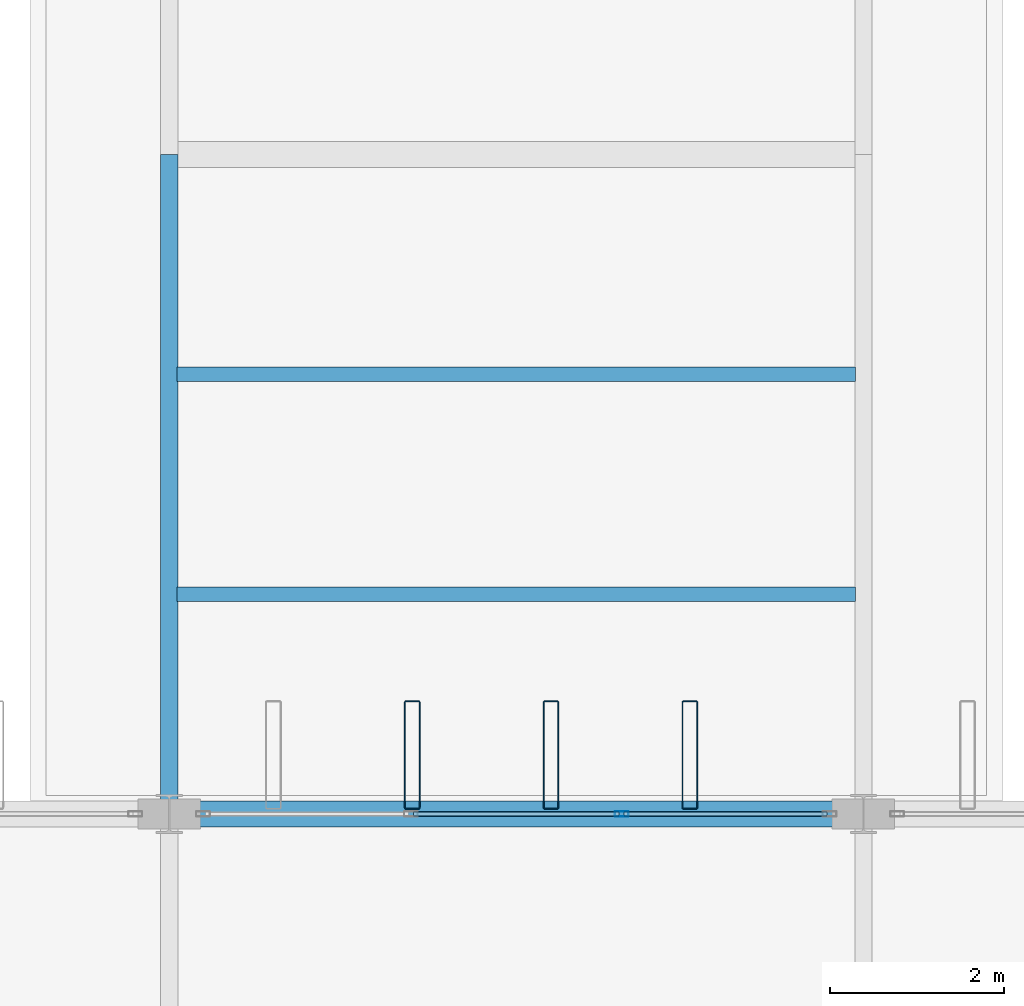
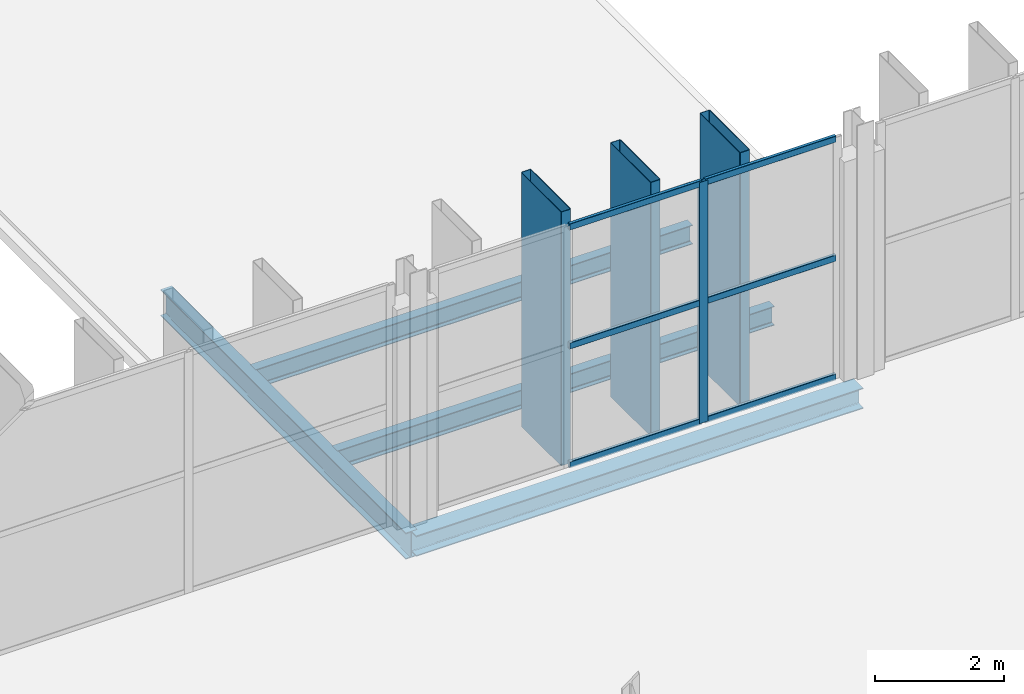
# One storey, part 44 of 120: 10 members, 4 beams, 1 element without a shape of its own.
"""IFC4 building model written with IfcOpenShell, lengths in metres."""

import ifcopenshell
import ifcopenshell.guid

model = None  # the IFC model being written
_history = None  # IfcOwnerHistory: only IFC2X3 demands one
_inside = {}  # id of a spatial element -> (the spatial element, [elements in it])
_under = {}  # id of a project, library or spatial element -> (it, [spatial elements below it])
_declared = {}  # id of a project -> (the project, [libraries it declares])
_typed = {}  # id of a type object -> (the type object, [elements of that type])
_made_of = {}  # id of a material, layer set ... -> (it, [elements and type objects made of it])


def new_model(schema):
    """Start an empty IFC model of exactly this schema.

    Asked for "IFC4X3", IfcOpenShell would pick the latest addendum, in which some entities
    have other attributes; the version numbers below select the first issue.
    IFC2X3 requires an IfcOwnerHistory on every rooted entity: one is made here for all.
    """
    global model, _history
    if schema == "IFC4X3":
        model = ifcopenshell.file(schema_version=(4, 3, 0, 0))
    else:
        model = ifcopenshell.file(schema=schema)
    _inside.clear()
    _under.clear()
    _declared.clear()
    _typed.clear()
    _made_of.clear()
    _history = None
    if model.schema == "IFC2X3":
        org = make("IfcOrganization", Name="unknown")
        user = make(
            "IfcPersonAndOrganization",
            ThePerson=make("IfcPerson", FamilyName="unknown"),
            TheOrganization=org,
        )
        app = make(
            "IfcApplication",
            ApplicationDeveloper=org,
            Version="unknown",
            ApplicationFullName="unknown",
            ApplicationIdentifier="unknown",
        )
        _history = make(
            "IfcOwnerHistory",
            OwningUser=user,
            OwningApplication=app,
            ChangeAction="ADDED",
            CreationDate=0,
        )
    return model


def make(cls, **values):
    """One entity of the class cls with the attributes given. An attribute that is None is left unset."""
    return model.create_entity(
        cls, **{name: value for name, value in values.items() if value is not None}
    )


def rooted(cls, **values):
    """An entity with a GlobalId (a new one), such as an element, a storey or a relation."""
    return make(cls, GlobalId=ifcopenshell.guid.new(), OwnerHistory=_history, **values)


def si_unit(unit_type, name, prefix=None):
    """IfcSIUnit, for example si_unit("LENGTHUNIT", "METRE", prefix="MILLI")."""
    return make("IfcSIUnit", UnitType=unit_type, Prefix=prefix, Name=name)


def assignment(units):
    """IfcUnitAssignment: the units of a project."""
    return None if units is None else make("IfcUnitAssignment", Units=units)


def point(xyz):
    """IfcCartesianPoint."""
    return None if xyz is None else make("IfcCartesianPoint", Coordinates=xyz)


def direction(xyz):
    """IfcDirection."""
    return None if xyz is None else make("IfcDirection", DirectionRatios=xyz)


def frame(location, z_axis=None, x_axis=None):
    """IfcAxis2Placement3D, a coordinate frame: its origin and axes. An axis left out is left unset."""
    return make(
        "IfcAxis2Placement3D",
        Location=point(location),
        Axis=direction(z_axis),
        RefDirection=direction(x_axis),
    )


def frame_2d(location, x_axis=None):
    """IfcAxis2Placement2D, a coordinate frame in the plane: its origin and x axis."""
    return make(
        "IfcAxis2Placement2D", Location=point(location), RefDirection=direction(x_axis)
    )


def origin():
    """The frame at (0, 0, 0) with its axes left unset."""
    return frame((0.0, 0.0, 0.0))


def origin_2d():
    """The frame at (0, 0) in the plane with its x axis left unset."""
    return frame_2d((0.0, 0.0))


def place(relative_to, where):
    """IfcLocalPlacement: puts the frame where relative to a parent placement (None: the world)."""
    return make(
        "IfcLocalPlacement", PlacementRelTo=relative_to, RelativePlacement=where
    )


def context(
    kind, dimensions, precision=None, world=None, true_north=None, identifier=None
):
    """IfcGeometricRepresentationContext, for example the 3D "Model" context."""
    return make(
        "IfcGeometricRepresentationContext",
        ContextIdentifier=identifier,
        ContextType=kind,
        CoordinateSpaceDimension=dimensions,
        Precision=precision,
        WorldCoordinateSystem=world,
        TrueNorth=true_north,
    )


def subcontext(parent, identifier, kind, view, scale=None):
    """IfcGeometricRepresentationSubContext, for example "Body" below "Model"."""
    return make(
        "IfcGeometricRepresentationSubContext",
        ContextIdentifier=identifier,
        ContextType=kind,
        ParentContext=parent,
        TargetScale=scale,
        TargetView=view,
    )


def project(units=None, contexts=None):
    """IfcProject with its units and contexts."""
    return rooted(
        "IfcProject",
        Name="project",
        RepresentationContexts=contexts,
        UnitsInContext=assignment(units),
    )


def spatial(cls, under=None, at=None, **own):
    """A site, building, storey or space (cls), placed at a placement, below another one or the project."""
    s = rooted(cls, ObjectPlacement=at, **own)
    if under is not None:
        _under.setdefault(under.id(), (under, []))[1].append(s)
    return s


def profile(cls, at=None, kind="AREA", **sizes):
    """A parametric profile (cls). Its sizes go by their IFC names, for example OverallWidth=200.0."""
    return make(cls, ProfileType=kind, Position=at, **sizes)


def hollow_rectangle(**sizes):
    """IfcRectangleHollowProfileDef."""
    return profile("IfcRectangleHollowProfileDef", **sizes)


def i_section(**sizes):
    """IfcIShapeProfileDef."""
    return profile("IfcIShapeProfileDef", **sizes)


def extrude(swept, where, along, depth):
    """IfcExtrudedAreaSolid: the profile swept, set in the frame where, extruded along a direction by depth."""
    return make(
        "IfcExtrudedAreaSolid",
        SweptArea=swept,
        Position=where,
        ExtrudedDirection=direction(along),
        Depth=depth,
    )


def shape(context_of_items, identifier, shape_type, items):
    """IfcShapeRepresentation: the items that make up one representation, for example the "Body"."""
    return make(
        "IfcShapeRepresentation",
        ContextOfItems=context_of_items,
        RepresentationIdentifier=identifier,
        RepresentationType=shape_type,
        Items=items,
    )


def material(Name=None, Category=None):
    """IfcMaterial."""
    return make("IfcMaterial", Name=Name, Category=Category)


def layer(
    of_material, thickness, ventilated=None, Name=None, Category=None, Priority=None
):
    """IfcMaterialLayer: one layer of a wall or slab, of a material (None: an air gap)."""
    return make(
        "IfcMaterialLayer",
        Material=of_material,
        LayerThickness=thickness,
        IsVentilated=ventilated,
        Name=Name,
        Category=Category,
        Priority=Priority,
    )


def layer_set(layers, Name=None):
    """IfcMaterialLayerSet."""
    return make("IfcMaterialLayerSet", MaterialLayers=layers, LayerSetName=Name)


def material_profile(
    of_material, cross_section, Name=None, Category=None, Priority=None
):
    """IfcMaterialProfile: a cross section and its material."""
    return make(
        "IfcMaterialProfile",
        Name=Name,
        Material=of_material,
        Profile=cross_section,
        Priority=Priority,
        Category=Category,
    )


def profile_set(profiles, Name=None, composite=None):
    """IfcMaterialProfileSet."""
    return make(
        "IfcMaterialProfileSet",
        Name=Name,
        MaterialProfiles=profiles,
        CompositeProfile=composite,
    )


def made_of(thing, what):
    """Note that an element or type object is made of a material, layer set ...; save() writes the relation."""
    if what is not None:
        _made_of.setdefault(what.id(), (what, []))[1].append(thing)
    return thing


def type_object(cls, material=None, **own):
    """A type object (cls), such as IfcWallType, which elements share."""
    return made_of(rooted(cls, **own), material)


def element(
    cls,
    number,
    at=None,
    inside=None,
    cuts=None,
    type_object=None,
    material=None,
    context=None,
    identifier="Body",
    shape_type=None,
    held_by="IfcProductDefinitionShape",
    body=None,
    shapes=None,
    **own,
):
    """One element of the class cls, such as IfcWall. Its Tag is "e" and its number.

    at: its placement. inside: the storey or other place that contains it. cuts: it is an
    opening in that element (IfcRelVoidsElement). A single representation is given by context,
    identifier, shape_type and body (its items); several are given by shapes. held_by: the class
    of the entity that holds the representations. save() writes the other relations.
    """
    e = rooted(cls, Tag="e%d" % number, ObjectPlacement=at, **own)
    if body is not None:
        shapes = [shape(context, identifier, shape_type, body)]
    if shapes is not None:
        e.Representation = make(held_by, Representations=shapes)
    if inside is not None:
        _inside.setdefault(inside.id(), (inside, []))[1].append(e)
    if cuts is not None:
        rooted(
            "IfcRelVoidsElement", RelatingBuildingElement=cuts, RelatedOpeningElement=e
        )
    if type_object is not None:
        _typed.setdefault(type_object.id(), (type_object, []))[1].append(e)
    return made_of(e, material)


def aggregate(whole, parts):
    """IfcRelAggregates: a whole, such as a stair, and the parts it consists of."""
    return rooted("IfcRelAggregates", RelatingObject=whole, RelatedObjects=parts)


def save(model, path):
    """Write the relations noted so far, then the file.

    IfcRelAggregates (storeys below a building ...), IfcRelContainedInSpatialStructure (elements
    in a storey), IfcRelDefinesByType, IfcRelAssociatesMaterial and IfcRelDeclares: one each for
    every whole, place, type object, material and project.
    """
    for whole, parts in _under.values():
        aggregate(whole, parts)
    for where, things in _inside.values():
        rooted(
            "IfcRelContainedInSpatialStructure",
            RelatedElements=things,
            RelatingStructure=where,
        )
    for kind, things in _typed.values():
        rooted("IfcRelDefinesByType", RelatedObjects=things, RelatingType=kind)
    for what, things in _made_of.values():
        rooted("IfcRelAssociatesMaterial", RelatedObjects=things, RelatingMaterial=what)
    for by, libraries in _declared.values():
        rooted("IfcRelDeclares", RelatingContext=by, RelatedDefinitions=libraries)
    model.write(path)


model = new_model("IFC4")

# Units and contexts
model_context = context("Model", 3, precision=1e-05, world=origin(), true_north=direction((0.0, 1.0)))
body_context = subcontext(model_context, "Body", "Model", "MODEL_VIEW")
ifc_project = project(units=[si_unit("LENGTHUNIT", "METRE"), si_unit("AREAUNIT", "SQUARE_METRE"), si_unit("VOLUMEUNIT", "CUBIC_METRE"), si_unit("PLANEANGLEUNIT", "RADIAN"), si_unit("MASSUNIT", "GRAM", prefix="KILO")], contexts=[model_context])

# Site, building, storey
site_placement = place(None, origin())
site = spatial("IfcSite", under=ifc_project, at=site_placement, CompositionType="ELEMENT")
building_placement = place(site_placement, origin())
building = spatial("IfcBuilding", under=site, at=building_placement, Name="Vekula Escarpment Museum", CompositionType="ELEMENT")
storey_placement = place(building_placement, frame((0.0, 0.0, 13.199951171875)))
storey = spatial("IfcBuildingStorey", under=building, at=storey_placement, Name="L03", CompositionType="ELEMENT", Elevation=13.199951171875)

# Beams
ifc_material_1 = material(Name="Steel S355", Category="steel")
ifc_material_profile_1 = material_profile(ifc_material_1, i_section(OverallWidth=0.199951171875, OverallDepth=0.5, WebThickness=0.01025390625, FlangeThickness=0.01611328125, FilletRadius=0.02099609375, at=origin_2d()), Name="IPE 500")
ifc_profile_set_1 = profile_set([ifc_material_profile_1], Name="Steel S355")
beam_type_1 = type_object("IfcBeamType", Name="BM-GIRD-IPE500", PredefinedType="BEAM", material=ifc_profile_set_1)
beam_1_placement = place(storey_placement, frame((94.0, 90.39990234375, -0.5), z_axis=(0.0, 1.0, 0.0), x_axis=(-1.0, 0.0, 0.0)))
element("IfcBeam", 1, at=beam_1_placement, inside=storey, type_object=beam_type_1, Name="Beam Y L03 1589", PredefinedType="BEAM", context=body_context, shape_type="SweptSolid", body=[
    extrude(i_section(OverallWidth=0.199951171875, OverallDepth=0.5, WebThickness=0.01025390625, FlangeThickness=0.01611328125, FilletRadius=0.02099609375, at=origin_2d()), origin(), (0.0, 0.0, 1.0), 7.60009765625),
])
ifc_material_2 = material(Name="Steel S355", Category="steel")
ifc_material_profile_2 = material_profile(ifc_material_2, i_section(OverallWidth=0.169921875, OverallDepth=0.360107421875, WebThickness=0.008056640625, FlangeThickness=0.0126953125, FilletRadius=0.01806640625, at=origin_2d()), Name="IPE 360")
ifc_profile_set_2 = profile_set([ifc_material_profile_2], Name="Steel S355")
beam_type_2 = type_object("IfcBeamType", Name="BM-JST-IPE360", PredefinedType="JOIST", material=ifc_profile_set_2)
for number, where, z_axis, x_axis, name in (
    (2, (94.090087890625, 92.933349609375, -0.429931640625), (1.0, 0.0, 0.0), (0.0, 1.0, 0.0), "Secondary Joist L03 1031"),
    (3, (94.090087890625, 95.466796875, -0.429931640625), (1.0, 0.0, 0.0), (0.0, 1.0, 0.0), "Secondary Joist L03 1032"),
):
    element("IfcBeam", number, at=place(storey_placement, frame(where, z_axis=z_axis, x_axis=x_axis)), inside=storey, type_object=beam_type_2, Name=name, PredefinedType="JOIST", context=body_context, shape_type="SweptSolid", body=[
        extrude(i_section(OverallWidth=0.169921875, OverallDepth=0.360107421875, WebThickness=0.008056640625, FlangeThickness=0.0126953125, FilletRadius=0.01806640625, at=origin_2d()), origin(), (0.0, 0.0, 1.0), 7.81982421875),
    ])
ifc_material_3 = material(Name="Steel S355", Category="steel")
ifc_material_profile_3 = material_profile(ifc_material_3, i_section(OverallWidth=0.300048828125, OverallDepth=0.389892578125, WebThickness=0.010986328125, FlangeThickness=0.01904296875, FilletRadius=0.027099609375, at=origin_2d()), Name="HEA 400")
ifc_profile_set_3 = profile_set([ifc_material_profile_3], Name="Steel S355")
beam_type_3 = type_object("IfcBeamType", Name="BM-SPAN-HEA400", PredefinedType="SPANDREL", material=ifc_profile_set_3)
beam_2_placement = place(storey_placement, frame((94.0, 90.39990234375, -0.445068359375), z_axis=(1.0, 0.0, 0.0), x_axis=(0.0, 1.0, 0.0)))
element("IfcBeam", 4, at=beam_2_placement, inside=storey, type_object=beam_type_3, Name="Beam X L03 1419", PredefinedType="SPANDREL", context=body_context, shape_type="SweptSolid", body=[
    extrude(i_section(OverallWidth=0.300048828125, OverallDepth=0.389892578125, WebThickness=0.010986328125, FlangeThickness=0.01904296875, FilletRadius=0.027099609375, at=origin_2d()), origin(), (0.0, 0.0, 1.0), 8.0),
])

# Curtain wall, members
ifc_material_4 = material(Name="Aluminium thermally broken framing", Category="aluminium")
ifc_layer = layer(ifc_material_4, 0.139892578125)
ifc_layer_set = layer_set([ifc_layer], Name="Aluminium thermally broken framing")
curtain_wall_type = type_object("IfcCurtainWallType", Name="CW-SYS-06", PredefinedType="NOTDEFINED", material=ifc_layer_set)
curtain_wall_placement = place(storey_placement, origin())
curtain_wall = element("IfcCurtainWall", 5, at=curtain_wall_placement, inside=storey, type_object=curtain_wall_type, Name="Curtain Wall CW-L03-126", PredefinedType="NOTDEFINED")
ifc_material_5 = material(Name="Aluminium anodized mullion", Category="aluminium")
ifc_material_profile_4 = material_profile(ifc_material_5, hollow_rectangle(XDim=0.06005859375, YDim=0.159912109375, WallThickness=0.00390625, InnerFilletRadius=0.00390625, OuterFilletRadius=0.008056640625, at=origin_2d()), Name="ALU 160x60x4")
ifc_profile_set_4 = profile_set([ifc_material_profile_4], Name="Aluminium anodized mullion")
member_type_1 = type_object("IfcMemberType", Name="CW-MUL-160", PredefinedType="MULLION", material=ifc_profile_set_4)
member_1_placement = place(storey_placement, frame((99.21337890625, 90.39990234375, 0.0), z_axis=(0.0, 0.0, 1.0), x_axis=(0.0, -1.0, 0.0)))
member_1 = element("IfcMember", 6, at=member_1_placement, type_object=member_type_1, Name="CW-06 mullion 2", PredefinedType="MULLION", context=body_context, shape_type="SweptSolid", body=[
    extrude(hollow_rectangle(XDim=0.06005859375, YDim=0.159912109375, WallThickness=0.00390625, InnerFilletRadius=0.00390625, OuterFilletRadius=0.008056640625, at=origin_2d()), origin(), (0.0, 0.0, 1.0), 4.56005859375),
])
ifc_material_6 = material(Name="Aluminium anodized transom", Category="aluminium")
ifc_material_profile_5 = material_profile(ifc_material_6, hollow_rectangle(XDim=0.06005859375, YDim=0.1201171875, WallThickness=0.00390625, InnerFilletRadius=0.00390625, OuterFilletRadius=0.008056640625, at=origin_2d()), Name="ALU 120x60x4")
ifc_profile_set_5 = profile_set([ifc_material_profile_5], Name="Aluminium anodized transom")
member_type_2 = type_object("IfcMemberType", Name="CW-TRN-120", PredefinedType="USERDEFINED", material=ifc_profile_set_5)
member_2_placement = place(storey_placement, frame((101.580078125, 90.39990234375, 0.030029296875), z_axis=(-1.0, 0.0, 0.0), x_axis=(0.0, -1.0, 0.0)))
member_2 = element("IfcMember", 7, at=member_2_placement, type_object=member_type_2, Name="CW-06 transom 1.1", ObjectType="TRANSOM", PredefinedType="USERDEFINED", context=body_context, shape_type="SweptSolid", body=[
    extrude(hollow_rectangle(XDim=0.06005859375, YDim=0.1201171875, WallThickness=0.00390625, InnerFilletRadius=0.00390625, OuterFilletRadius=0.008056640625, at=origin_2d()), origin(), (0.0, 0.0, 1.0), 2.336669921875),
])
member_3_placement = place(storey_placement, frame((101.580078125, 90.39990234375, 2.280029296875), z_axis=(-1.0, 0.0, 0.0), x_axis=(0.0, -1.0, 0.0)))
member_3 = element("IfcMember", 8, at=member_3_placement, type_object=member_type_2, Name="CW-06 transom 1.2", ObjectType="TRANSOM", PredefinedType="USERDEFINED", context=body_context, shape_type="SweptSolid", body=[
    extrude(hollow_rectangle(XDim=0.06005859375, YDim=0.1201171875, WallThickness=0.00390625, InnerFilletRadius=0.00390625, OuterFilletRadius=0.008056640625, at=origin_2d()), origin(), (0.0, 0.0, 1.0), 2.336669921875),
])
member_4_placement = place(storey_placement, frame((101.580078125, 90.39990234375, 4.530029296875), z_axis=(-1.0, 0.0, 0.0), x_axis=(0.0, -1.0, 0.0)))
member_4 = element("IfcMember", 9, at=member_4_placement, type_object=member_type_2, Name="CW-06 transom 1.3", ObjectType="TRANSOM", PredefinedType="USERDEFINED", context=body_context, shape_type="SweptSolid", body=[
    extrude(hollow_rectangle(XDim=0.06005859375, YDim=0.1201171875, WallThickness=0.00390625, InnerFilletRadius=0.00390625, OuterFilletRadius=0.008056640625, at=origin_2d()), origin(), (0.0, 0.0, 1.0), 2.336669921875),
])
member_5_placement = place(storey_placement, frame((99.183349609375, 90.39990234375, 0.030029296875), z_axis=(-1.0, 0.0, 0.0), x_axis=(0.0, -1.0, 0.0)))
member_5 = element("IfcMember", 10, at=member_5_placement, type_object=member_type_2, Name="CW-06 transom 2.1", ObjectType="TRANSOM", PredefinedType="USERDEFINED", context=body_context, shape_type="SweptSolid", body=[
    extrude(hollow_rectangle(XDim=0.06005859375, YDim=0.1201171875, WallThickness=0.00390625, InnerFilletRadius=0.00390625, OuterFilletRadius=0.008056640625, at=origin_2d()), origin(), (0.0, 0.0, 1.0), 2.36669921875),
])
member_6_placement = place(storey_placement, frame((99.183349609375, 90.39990234375, 2.280029296875), z_axis=(-1.0, 0.0, 0.0), x_axis=(0.0, -1.0, 0.0)))
member_6 = element("IfcMember", 11, at=member_6_placement, type_object=member_type_2, Name="CW-06 transom 2.2", ObjectType="TRANSOM", PredefinedType="USERDEFINED", context=body_context, shape_type="SweptSolid", body=[
    extrude(hollow_rectangle(XDim=0.06005859375, YDim=0.1201171875, WallThickness=0.00390625, InnerFilletRadius=0.00390625, OuterFilletRadius=0.008056640625, at=origin_2d()), origin(), (0.0, 0.0, 1.0), 2.36669921875),
])
member_7_placement = place(storey_placement, frame((99.183349609375, 90.39990234375, 4.530029296875), z_axis=(-1.0, 0.0, 0.0), x_axis=(0.0, -1.0, 0.0)))
member_7 = element("IfcMember", 12, at=member_7_placement, type_object=member_type_2, Name="CW-06 transom 2.3", ObjectType="TRANSOM", PredefinedType="USERDEFINED", context=body_context, shape_type="SweptSolid", body=[
    extrude(hollow_rectangle(XDim=0.06005859375, YDim=0.1201171875, WallThickness=0.00390625, InnerFilletRadius=0.00390625, OuterFilletRadius=0.008056640625, at=origin_2d()), origin(), (0.0, 0.0, 1.0), 2.36669921875),
])
aggregate(curtain_wall, [member_1, member_2, member_3, member_4, member_5, member_6, member_7])

# Members
ifc_material_7 = material(Name="Steel S355 weathered bronze solar fin", Category="steel")
ifc_material_profile_6 = material_profile(ifc_material_7, hollow_rectangle(XDim=0.179931640625, YDim=1.25, WallThickness=0.010009765625, InnerFilletRadius=0.010009765625, OuterFilletRadius=0.02001953125, at=origin_2d()), Name="RHS 1250x180x10")
ifc_profile_set_6 = profile_set([ifc_material_profile_6], Name="Steel S355 weathered bronze solar fin")
member_type_3 = type_object("IfcMemberType", Name="MB-SOLAR-FIN", PredefinedType="USERDEFINED", material=ifc_profile_set_6)
for number, where, z_axis, x_axis, name in (
    (13, (96.800048828125, 91.080078125, 0.0), (0.0, 0.0, 1.0), (1.0, 0.0, 0.0), "Great Hall Vertical Solar Fin 0203"),
    (14, (98.39990234375, 91.080078125, 0.0), (0.0, 0.0, 1.0), (1.0, 0.0, 0.0), "Great Hall Vertical Solar Fin 0208"),
    (15, (100.0, 91.080078125, 0.0), (0.0, 0.0, 1.0), (1.0, 0.0, 0.0), "Great Hall Vertical Solar Fin 0213"),
):
    element("IfcMember", number, at=place(storey_placement, frame(where, z_axis=z_axis, x_axis=x_axis)), inside=storey, type_object=member_type_3, Name=name, ObjectType="SOLAR FIN", PredefinedType="USERDEFINED", context=body_context, shape_type="SweptSolid", body=[
        extrude(hollow_rectangle(XDim=0.179931640625, YDim=1.25, WallThickness=0.010009765625, InnerFilletRadius=0.010009765625, OuterFilletRadius=0.02001953125, at=origin_2d()), origin(), (0.0, 0.0, 1.0), 4.800048828125),
    ])

save(model, "model.ifc")
